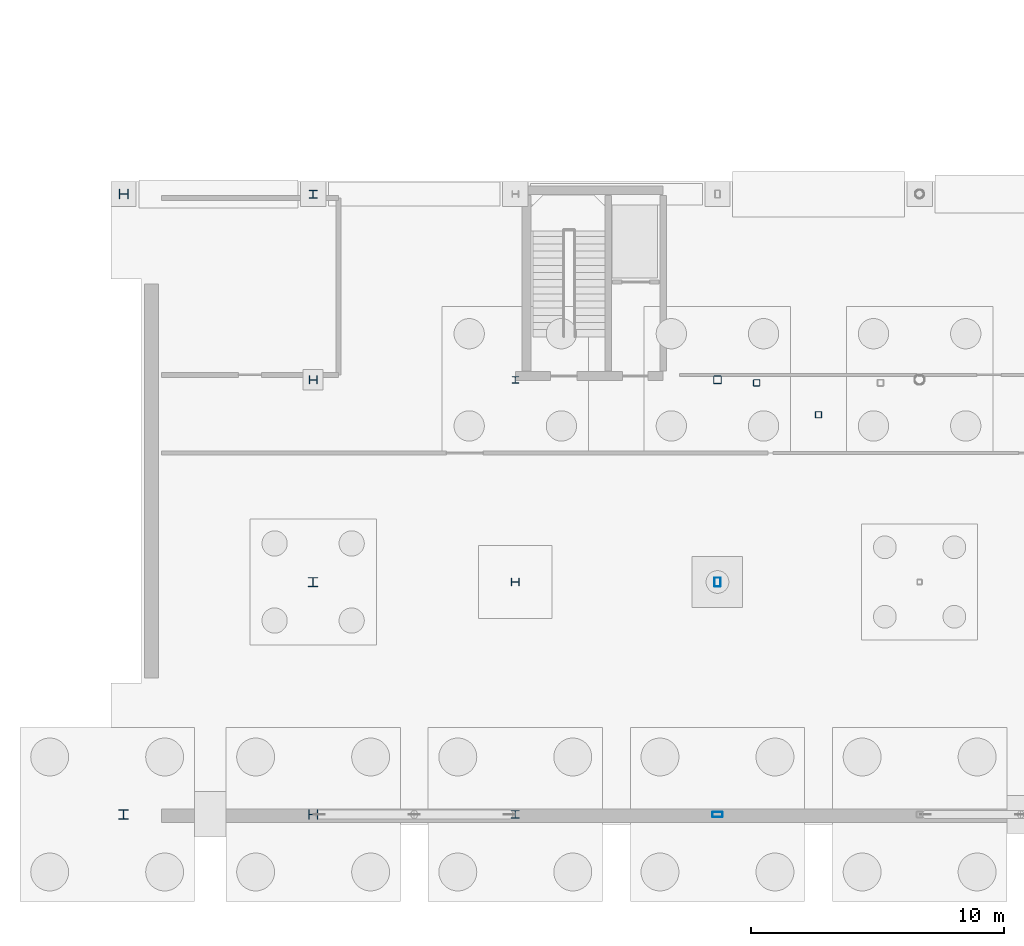
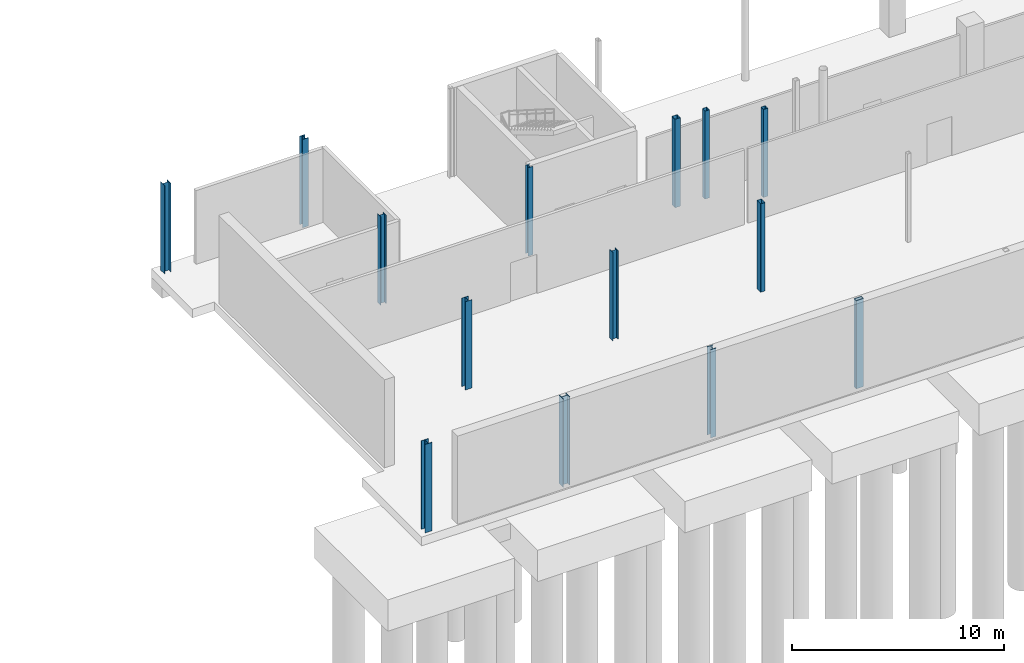
# One storey, part 4 of 33: 14 columns.
"""IFC4 building model written with IfcOpenShell, lengths in metres."""

from ifc_helpers import new_model, si_unit, direction, frame, origin, origin_2d, place, context, subcontext, project, spatial, hollow_rectangle, i_section, extrude, material, material_profile, profile_set, type_object, element, save


model = new_model("IFC4")

# Units and contexts
model_context = context("Model", 3, precision=1e-05, world=origin(), true_north=direction((0.0, 1.0)))
body_context = subcontext(model_context, "Body", "Model", "MODEL_VIEW")
ifc_project = project(units=[si_unit("LENGTHUNIT", "METRE"), si_unit("AREAUNIT", "SQUARE_METRE"), si_unit("VOLUMEUNIT", "CUBIC_METRE"), si_unit("PLANEANGLEUNIT", "RADIAN"), si_unit("MASSUNIT", "GRAM", prefix="KILO")], contexts=[model_context])

# Site, building, storey
site_placement = place(None, origin())
site = spatial("IfcSite", under=ifc_project, at=site_placement, CompositionType="ELEMENT")
building_placement = place(site_placement, origin())
building = spatial("IfcBuilding", under=site, at=building_placement, Name="Brisemont Oceanarium", CompositionType="ELEMENT")
storey_placement = place(building_placement, frame((0.0, 0.0, -5.39990234375)))
storey = spatial("IfcBuildingStorey", under=building, at=storey_placement, Name="B01", CompositionType="ELEMENT", Elevation=-5.39990234375)

# Columns
ifc_material_1 = material(Name="Structural Steel ASTM A500 Gr.C", Category="steel")
ifc_material_profile_1 = material_profile(ifc_material_1, hollow_rectangle(XDim=0.25390625, YDim=0.25390625, WallThickness=0.01171875, InnerFilletRadius=0.01220703125, OuterFilletRadius=0.02392578125, at=origin_2d()), Name="HSS10X10X1/2")
ifc_profile_set_1 = profile_set([ifc_material_profile_1], Name="Structural Steel ASTM A500 Gr.C")
column_type_1 = type_object("IfcColumnType", Name="COL-HSS10X10", PredefinedType="COLUMN", material=ifc_profile_set_1)
for number, where, z_axis, x_axis, name in (
    (1, (33.550048828125, 23.8798828125, 0.0), (0.0, 0.0, 1.0), (1.0, 0.0, 0.0), "ST-10 B01 support column W"),
    (2, (36.0, 22.6201171875, 0.0), (0.0, 0.0, 1.0), (1.0, 0.0, 0.0), "ST-10 B01 support column C"),
):
    element("IfcColumn", number, at=place(storey_placement, frame(where, z_axis=z_axis, x_axis=x_axis)), inside=storey, type_object=column_type_1, Name=name, PredefinedType="COLUMN", context=body_context, shape_type="SweptSolid", body=[
        extrude(hollow_rectangle(XDim=0.25390625, YDim=0.25390625, WallThickness=0.01171875, InnerFilletRadius=0.01220703125, OuterFilletRadius=0.02392578125, at=origin_2d()), origin(), (0.0, 0.0, 1.0), 5.059814453125),
    ])
ifc_material_2 = material(Name="Structural Steel ASTM A500 Gr.C", Category="steel")
ifc_material_profile_2 = material_profile(ifc_material_2, hollow_rectangle(XDim=0.304931640625, YDim=0.304931640625, WallThickness=0.01171875, InnerFilletRadius=0.01220703125, OuterFilletRadius=0.02392578125, at=origin_2d()), Name="HSS12X12X1/2")
ifc_profile_set_2 = profile_set([ifc_material_profile_2], Name="Structural Steel ASTM A500 Gr.C")
column_type_2 = type_object("IfcColumnType", Name="COL-HSS12X12", PredefinedType="COLUMN", material=ifc_profile_set_2)
column_1_placement = place(storey_placement, frame((32.0, 24.0, 0.0), z_axis=(0.0, 0.0, 1.0), x_axis=(0.0, 1.0, 0.0)))
element("IfcColumn", 3, at=column_1_placement, inside=storey, type_object=column_type_2, Name="V2 B01 column (3,2)", PredefinedType="COLUMN", context=body_context, shape_type="SweptSolid", body=[
    extrude(hollow_rectangle(XDim=0.304931640625, YDim=0.304931640625, WallThickness=0.01171875, InnerFilletRadius=0.01220703125, OuterFilletRadius=0.02392578125, at=origin_2d()), origin(), (0.0, 0.0, 1.0), 5.079833984375),
])
ifc_material_3 = material(Name="Structural Steel ASTM A500 Gr.C", Category="steel")
ifc_material_profile_3 = material_profile(ifc_material_3, hollow_rectangle(XDim=0.25390625, YDim=0.35595703125, WallThickness=0.01171875, InnerFilletRadius=0.01220703125, OuterFilletRadius=0.02392578125, at=origin_2d()), Name="HSS14X10X1/2")
ifc_profile_set_3 = profile_set([ifc_material_profile_3], Name="Structural Steel ASTM A500 Gr.C")
column_type_3 = type_object("IfcColumnType", Name="COL-HSS14X10", PredefinedType="COLUMN", material=ifc_profile_set_3)
column_2_placement = place(storey_placement, frame((32.0, 16.0, 0.0), z_axis=(0.0, 0.0, 1.0), x_axis=(1.0, 0.0, 0.0)))
element("IfcColumn", 4, at=column_2_placement, inside=storey, type_object=column_type_3, Name="V2 B01 column (3,1)", PredefinedType="COLUMN", context=body_context, shape_type="SweptSolid", body=[
    extrude(hollow_rectangle(XDim=0.25390625, YDim=0.35595703125, WallThickness=0.01171875, InnerFilletRadius=0.01220703125, OuterFilletRadius=0.02392578125, at=origin_2d()), origin(), (0.0, 0.0, 1.0), 5.079833984375),
])
ifc_material_4 = material(Name="Structural Steel ASTM A500 Gr.C", Category="steel")
ifc_material_profile_4 = material_profile(ifc_material_4, hollow_rectangle(XDim=0.202880859375, YDim=0.406005859375, WallThickness=0.01171875, InnerFilletRadius=0.01220703125, OuterFilletRadius=0.02392578125, at=origin_2d()), Name="HSS16X8X1/2")
ifc_profile_set_4 = profile_set([ifc_material_profile_4], Name="Structural Steel ASTM A500 Gr.C")
column_type_4 = type_object("IfcColumnType", Name="COL-HSS16X8", PredefinedType="COLUMN", material=ifc_profile_set_4)
column_3_placement = place(storey_placement, frame((32.0, 6.800048828125, 0.0), z_axis=(0.0, 0.0, 1.0), x_axis=(0.0, 1.0, 0.0)))
element("IfcColumn", 5, at=column_3_placement, inside=storey, type_object=column_type_4, Name="V2 B01 column (3,0)", PredefinedType="COLUMN", context=body_context, shape_type="SweptSolid", body=[
    extrude(hollow_rectangle(XDim=0.202880859375, YDim=0.406005859375, WallThickness=0.01171875, InnerFilletRadius=0.01220703125, OuterFilletRadius=0.02392578125, at=origin_2d()), origin(), (0.0, 0.0, 1.0), 5.079833984375),
])
ifc_material_5 = material(Name="Structural Steel ASTM A992 Gr.50", Category="steel")
ifc_material_profile_5 = material_profile(ifc_material_5, i_section(OverallWidth=0.256103515625, OverallDepth=0.260009765625, WebThickness=0.0107421875, FlangeThickness=0.017333984375, FilletRadius=0.010986328125, at=origin_2d()), Name="W10X60")
ifc_profile_set_5 = profile_set([ifc_material_profile_5], Name="Structural Steel ASTM A992 Gr.50")
column_type_5 = type_object("IfcColumnType", Name="COL-W10X60", PredefinedType="COLUMN", material=ifc_profile_set_5)
column_4_placement = place(storey_placement, frame((24.0, 24.0, 0.0), z_axis=(0.0, 0.0, 1.0), x_axis=(1.0, 0.0, 0.0)))
element("IfcColumn", 6, at=column_4_placement, inside=storey, type_object=column_type_5, Name="V2 B01 column (2,2)", PredefinedType="COLUMN", context=body_context, shape_type="SweptSolid", body=[
    extrude(i_section(OverallWidth=0.256103515625, OverallDepth=0.260009765625, WebThickness=0.0107421875, FlangeThickness=0.017333984375, FilletRadius=0.010986328125, at=origin_2d()), origin(), (0.0, 0.0, 1.0), 5.079833984375),
])
ifc_material_6 = material(Name="Structural Steel ASTM A992 Gr.50", Category="steel")
ifc_material_profile_6 = material_profile(ifc_material_6, i_section(OverallWidth=0.304931640625, OverallDepth=0.306884765625, WebThickness=0.010009765625, FlangeThickness=0.015380859375, FilletRadius=0.012939453125, at=origin_2d()), Name="W12X65")
ifc_profile_set_6 = profile_set([ifc_material_profile_6], Name="Structural Steel ASTM A992 Gr.50")
column_type_6 = type_object("IfcColumnType", Name="COL-W12X65", PredefinedType="COLUMN", material=ifc_profile_set_6)
column_5_placement = place(storey_placement, frame((24.0, 16.0, 0.0), z_axis=(0.0, 0.0, 1.0), x_axis=(0.0, 1.0, 0.0)))
element("IfcColumn", 7, at=column_5_placement, inside=storey, type_object=column_type_6, Name="V2 B01 column (2,1)", PredefinedType="COLUMN", context=body_context, shape_type="SweptSolid", body=[
    extrude(i_section(OverallWidth=0.304931640625, OverallDepth=0.306884765625, WebThickness=0.010009765625, FlangeThickness=0.015380859375, FilletRadius=0.012939453125, at=origin_2d()), origin(), (0.0, 0.0, 1.0), 5.079833984375),
])
ifc_material_7 = material(Name="Structural Steel ASTM A992 Gr.50", Category="steel")
ifc_material_profile_7 = material_profile(ifc_material_7, i_section(OverallWidth=0.305908203125, OverallDepth=0.31103515625, WebThickness=0.010986328125, FlangeThickness=0.01708984375, FilletRadius=0.012939453125, at=origin_2d()), Name="W12X72")
ifc_profile_set_7 = profile_set([ifc_material_profile_7], Name="Structural Steel ASTM A992 Gr.50")
column_type_7 = type_object("IfcColumnType", Name="COL-W12X72", PredefinedType="COLUMN", material=ifc_profile_set_7)
column_6_placement = place(storey_placement, frame((24.0, 6.800048828125, 0.0), z_axis=(0.0, 0.0, 1.0), x_axis=(1.0, 0.0, 0.0)))
element("IfcColumn", 8, at=column_6_placement, inside=storey, type_object=column_type_7, Name="V2 B01 column (2,0)", PredefinedType="COLUMN", context=body_context, shape_type="SweptSolid", body=[
    extrude(i_section(OverallWidth=0.305908203125, OverallDepth=0.31103515625, WebThickness=0.010986328125, FlangeThickness=0.01708984375, FilletRadius=0.012939453125, at=origin_2d()), origin(), (0.0, 0.0, 1.0), 5.079833984375),
])
ifc_material_8 = material(Name="Structural Steel ASTM A992 Gr.50", Category="steel")
ifc_material_profile_8 = material_profile(ifc_material_8, i_section(OverallWidth=0.306884765625, OverallDepth=0.31494140625, WebThickness=0.011962890625, FlangeThickness=0.018798828125, FilletRadius=0.012939453125, at=origin_2d()), Name="W12X79")
ifc_profile_set_8 = profile_set([ifc_material_profile_8], Name="Structural Steel ASTM A992 Gr.50")
column_type_8 = type_object("IfcColumnType", Name="COL-W12X79", PredefinedType="COLUMN", material=ifc_profile_set_8)
column_7_placement = place(storey_placement, frame((16.0, 31.35009765625, 0.0), z_axis=(0.0, 0.0, 1.0), x_axis=(1.0, 0.0, 0.0)))
element("IfcColumn", 9, at=column_7_placement, inside=storey, type_object=column_type_8, Name="V2 B01 column (1,3)", PredefinedType="COLUMN", context=body_context, shape_type="SweptSolid", body=[
    extrude(i_section(OverallWidth=0.306884765625, OverallDepth=0.31494140625, WebThickness=0.011962890625, FlangeThickness=0.018798828125, FilletRadius=0.012939453125, at=origin_2d()), origin(), (0.0, 0.0, 1.0), 5.079833984375),
])
ifc_material_9 = material(Name="Structural Steel ASTM A992 Gr.50", Category="steel")
ifc_material_profile_9 = material_profile(ifc_material_9, i_section(OverallWidth=0.30810546875, OverallDepth=0.318115234375, WebThickness=0.01318359375, FlangeThickness=0.0205078125, FilletRadius=0.012939453125, at=origin_2d()), Name="W12X87")
ifc_profile_set_9 = profile_set([ifc_material_profile_9], Name="Structural Steel ASTM A992 Gr.50")
column_type_9 = type_object("IfcColumnType", Name="COL-W12X87", PredefinedType="COLUMN", material=ifc_profile_set_9)
column_8_placement = place(storey_placement, frame((16.0, 24.0, 0.0), z_axis=(0.0, 0.0, 1.0), x_axis=(0.0, 1.0, 0.0)))
element("IfcColumn", 10, at=column_8_placement, inside=storey, type_object=column_type_9, Name="V2 B01 column (1,2)", PredefinedType="COLUMN", context=body_context, shape_type="SweptSolid", body=[
    extrude(i_section(OverallWidth=0.30810546875, OverallDepth=0.318115234375, WebThickness=0.01318359375, FlangeThickness=0.0205078125, FilletRadius=0.012939453125, at=origin_2d()), origin(), (0.0, 0.0, 1.0), 5.079833984375),
])
ifc_material_10 = material(Name="Structural Steel ASTM A992 Gr.50", Category="steel")
ifc_material_profile_10 = material_profile(ifc_material_10, i_section(OverallWidth=0.37109375, OverallDepth=0.364013671875, WebThickness=0.01318359375, FlangeThickness=0.021728515625, FilletRadius=0.014892578125, at=origin_2d()), Name="W14X109")
ifc_profile_set_10 = profile_set([ifc_material_profile_10], Name="Structural Steel ASTM A992 Gr.50")
column_type_10 = type_object("IfcColumnType", Name="COL-W14X109", PredefinedType="COLUMN", material=ifc_profile_set_10)
column_9_placement = place(storey_placement, frame((8.5, 31.35009765625, 0.0), z_axis=(0.0, 0.0, 1.0), x_axis=(0.0, 1.0, 0.0)))
element("IfcColumn", 11, at=column_9_placement, inside=storey, type_object=column_type_10, Name="V2 B01 column (0,3)", PredefinedType="COLUMN", context=body_context, shape_type="SweptSolid", body=[
    extrude(i_section(OverallWidth=0.37109375, OverallDepth=0.364013671875, WebThickness=0.01318359375, FlangeThickness=0.021728515625, FilletRadius=0.014892578125, at=origin_2d()), origin(), (0.0, 0.0, 1.0), 5.079833984375),
])
ifc_material_11 = material(Name="Structural Steel ASTM A992 Gr.50", Category="steel")
ifc_material_profile_11 = material_profile(ifc_material_11, i_section(OverallWidth=0.373046875, OverallDepth=0.367919921875, WebThickness=0.014892578125, FlangeThickness=0.02392578125, FilletRadius=0.014892578125, at=origin_2d()), Name="W14X120")
ifc_profile_set_11 = profile_set([ifc_material_profile_11], Name="Structural Steel ASTM A992 Gr.50")
column_type_11 = type_object("IfcColumnType", Name="COL-W14X120", PredefinedType="COLUMN", material=ifc_profile_set_11)
column_10_placement = place(storey_placement, frame((8.5, 6.800048828125, 0.0), z_axis=(0.0, 0.0, 1.0), x_axis=(1.0, 0.0, 0.0)))
element("IfcColumn", 12, at=column_10_placement, inside=storey, type_object=column_type_11, Name="V2 B01 column (0,0)", PredefinedType="COLUMN", context=body_context, shape_type="SweptSolid", body=[
    extrude(i_section(OverallWidth=0.373046875, OverallDepth=0.367919921875, WebThickness=0.014892578125, FlangeThickness=0.02392578125, FilletRadius=0.014892578125, at=origin_2d()), origin(), (0.0, 0.0, 1.0), 5.079833984375),
])
ifc_material_12 = material(Name="Structural Steel ASTM A992 Gr.50", Category="steel")
ifc_material_profile_12 = material_profile(ifc_material_12, i_section(OverallWidth=0.367919921875, OverallDepth=0.35595703125, WebThickness=0.01123046875, FlangeThickness=0.01806640625, FilletRadius=0.014892578125, at=origin_2d()), Name="W14X90")
ifc_profile_set_12 = profile_set([ifc_material_profile_12], Name="Structural Steel ASTM A992 Gr.50")
column_type_12 = type_object("IfcColumnType", Name="COL-W14X90", PredefinedType="COLUMN", material=ifc_profile_set_12)
column_11_placement = place(storey_placement, frame((16.0, 16.0, 0.0), z_axis=(0.0, 0.0, 1.0), x_axis=(1.0, 0.0, 0.0)))
element("IfcColumn", 13, at=column_11_placement, inside=storey, type_object=column_type_12, Name="V2 B01 column (1,1)", PredefinedType="COLUMN", context=body_context, shape_type="SweptSolid", body=[
    extrude(i_section(OverallWidth=0.367919921875, OverallDepth=0.35595703125, WebThickness=0.01123046875, FlangeThickness=0.01806640625, FilletRadius=0.014892578125, at=origin_2d()), origin(), (0.0, 0.0, 1.0), 5.079833984375),
])
ifc_material_13 = material(Name="Structural Steel ASTM A992 Gr.50", Category="steel")
ifc_material_profile_13 = material_profile(ifc_material_13, i_section(OverallWidth=0.37109375, OverallDepth=0.361083984375, WebThickness=0.01220703125, FlangeThickness=0.019775390625, FilletRadius=0.014892578125, at=origin_2d()), Name="W14X99")
ifc_profile_set_13 = profile_set([ifc_material_profile_13], Name="Structural Steel ASTM A992 Gr.50")
column_type_13 = type_object("IfcColumnType", Name="COL-W14X99", PredefinedType="COLUMN", material=ifc_profile_set_13)
column_12_placement = place(storey_placement, frame((16.0, 6.800048828125, 0.0), z_axis=(0.0, 0.0, 1.0), x_axis=(0.0, 1.0, 0.0)))
element("IfcColumn", 14, at=column_12_placement, inside=storey, type_object=column_type_13, Name="V2 B01 column (1,0)", PredefinedType="COLUMN", context=body_context, shape_type="SweptSolid", body=[
    extrude(i_section(OverallWidth=0.37109375, OverallDepth=0.361083984375, WebThickness=0.01220703125, FlangeThickness=0.019775390625, FilletRadius=0.014892578125, at=origin_2d()), origin(), (0.0, 0.0, 1.0), 5.079833984375),
])

save(model, "model.ifc")
